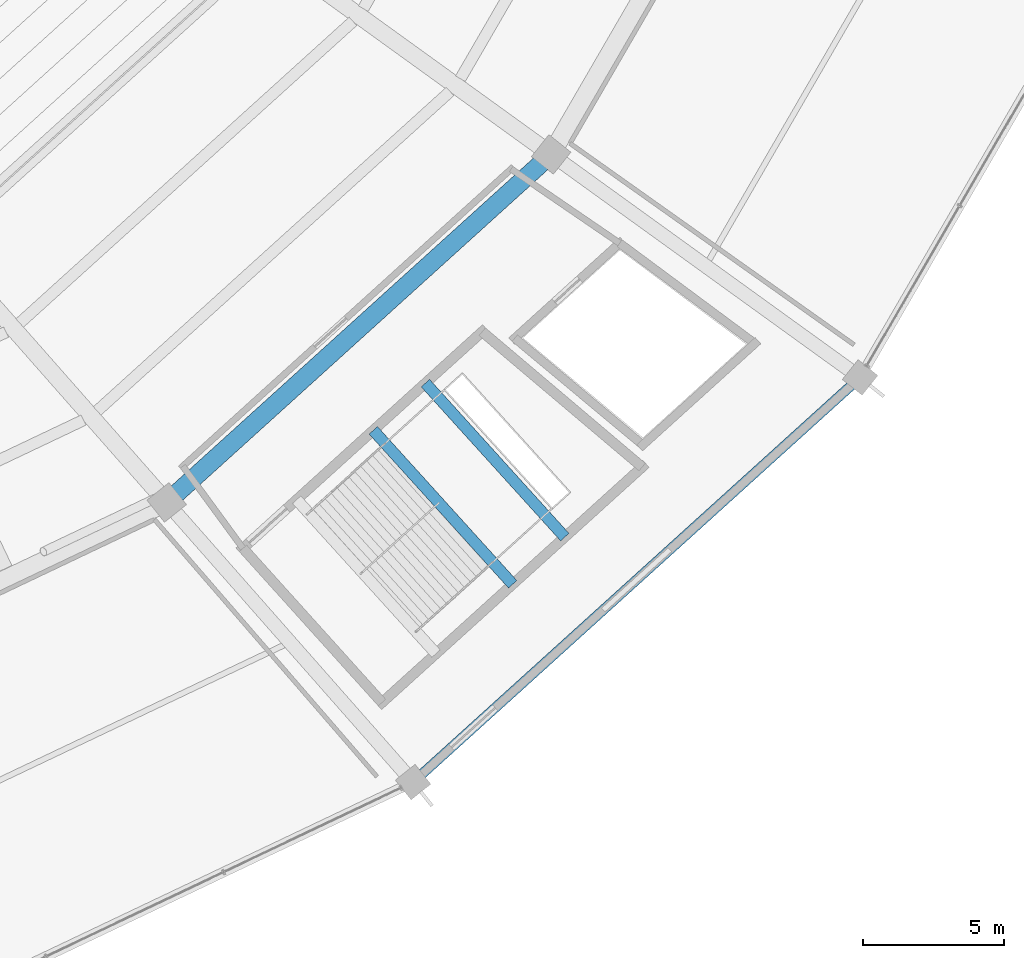
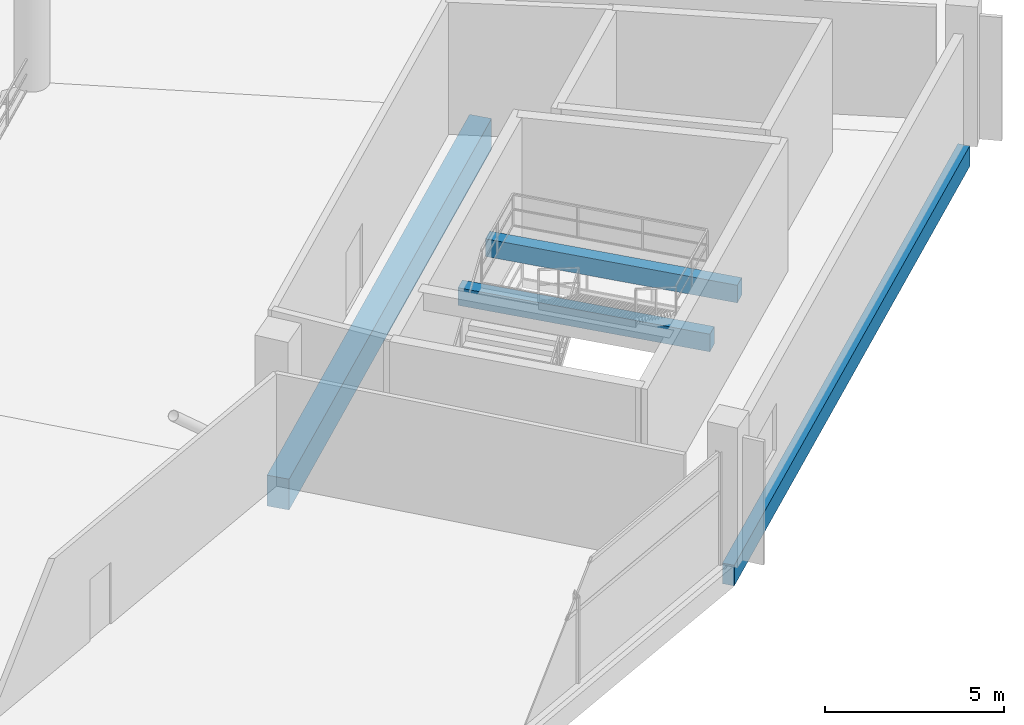
# One storey, part 48 of 156: 4 beams.
"""IFC4 building model written with IfcOpenShell, lengths in metres."""

from ifc_helpers import new_model, si_unit, direction, frame, origin, origin_2d, place, context, subcontext, project, spatial, rectangle, extrude, material, material_profile, profile_set, type_object, element, save


model = new_model("IFC4")

# Units and contexts
model_context = context("Model", 3, precision=1e-05, world=origin(), true_north=direction((0.0, 1.0)))
body_context = subcontext(model_context, "Body", "Model", "MODEL_VIEW")
ifc_project = project(units=[si_unit("LENGTHUNIT", "METRE"), si_unit("AREAUNIT", "SQUARE_METRE"), si_unit("VOLUMEUNIT", "CUBIC_METRE"), si_unit("PLANEANGLEUNIT", "RADIAN"), si_unit("MASSUNIT", "GRAM", prefix="KILO")], contexts=[model_context])

# Site, building, storey
site_placement = place(None, origin())
site = spatial("IfcSite", under=ifc_project, at=site_placement, CompositionType="ELEMENT")
building_placement = place(site_placement, origin())
building = spatial("IfcBuilding", under=site, at=building_placement, Name="Kazemori Nagisa Stadium", CompositionType="ELEMENT")
storey_placement = place(building_placement, frame((0.0, 0.0, 5.780029296875)))
storey = spatial("IfcBuildingStorey", under=building, at=storey_placement, Name="L01", CompositionType="ELEMENT", Elevation=5.780029296875)

# Beams
ifc_material = material(Name="Concrete C40/50 (Fc42)", Category="concrete")
ifc_material_profile_1 = material_profile(ifc_material, rectangle(XDim=0.39990234375, YDim=0.60009765625, at=origin_2d()), Name="RC-BM-400x600")
ifc_profile_set_1 = profile_set([ifc_material_profile_1], Name="Concrete C40/50 (Fc42)")
beam_type_1 = type_object("IfcBeamType", Name="Beam_BG-LND400X600", PredefinedType="BEAM", material=ifc_profile_set_1)
beam_1_placement = place(storey_placement, frame((184.181396484375, 43.452880859375, 1.8798828125), z_axis=(0.671129682405, -0.741339968837, 0.0), x_axis=(0.741339968837, 0.671129682405, 0.0)))
element("IfcBeam", 1, at=beam_1_placement, inside=storey, type_object=beam_type_1, Name="Core stair mid-landing girder ST04-L01-1", PredefinedType="BEAM", context=body_context, shape_type="SweptSolid", body=[
    extrude(rectangle(XDim=0.39990234375, YDim=0.60009765625, at=origin_2d()), origin(), (0.0, 0.0, 1.0), 7.3857421875),
])
beam_2_placement = place(storey_placement, frame((186.03466796875, 45.130859375, 1.8798828125), z_axis=(0.671113236271, -0.74135485707, 0.0), x_axis=(0.74135485707, 0.671113236271, 0.0)))
element("IfcBeam", 2, at=beam_2_placement, inside=storey, type_object=beam_type_1, Name="Core stair mid-landing girder ST04-L01-2", PredefinedType="BEAM", context=body_context, shape_type="SweptSolid", body=[
    extrude(rectangle(XDim=0.39990234375, YDim=0.60009765625, at=origin_2d()), origin(), (0.0, 0.0, 1.0), 7.385986328125),
])
ifc_material_profile_2 = material_profile(ifc_material, rectangle(XDim=0.64990234375, YDim=1.050048828125, at=origin_2d()), Name="RC-BM-650x1050")
ifc_profile_set_2 = profile_set([ifc_material_profile_2], Name="Concrete C40/50 (Fc42)")
beam_type_2 = type_object("IfcBeamType", Name="Beam_BG-RC650X1050", PredefinedType="BEAM", material=ifc_profile_set_2)
beam_3_placement = place(storey_placement, frame((176.834228515625, 40.88916015625, -0.804931640625), z_axis=(0.741349142139, 0.671119549298, 0.0), x_axis=(-0.671119549298, 0.741349142139, 0.0)))
element("IfcBeam", 3, at=beam_3_placement, inside=storey, type_object=beam_type_2, Name="Ring girder BG-RC650X1050 L01 R2-25", PredefinedType="BEAM", context=body_context, shape_type="SweptSolid", body=[
    extrude(rectangle(XDim=0.64990234375, YDim=1.050048828125, at=origin_2d()), origin(), (0.0, 0.0, 1.0), 18.44189453125),
])
ifc_material_profile_3 = material_profile(ifc_material, rectangle(XDim=0.35009765625, YDim=0.699951171875, at=origin_2d()), Name="RC-SP-350x700")
ifc_profile_set_3 = profile_set([ifc_material_profile_3], Name="Concrete C40/50 (Fc42)")
beam_type_3 = type_object("IfcBeamType", Name="Beam_BS-RC350X700", PredefinedType="SPANDREL", material=ifc_profile_set_3)
beam_4_placement = place(storey_placement, frame((185.597900390625, 30.94091796875, -0.630126953125), z_axis=(0.741351531326, 0.671116910084, 0.0), x_axis=(-0.671116910084, 0.741351531326, 0.0)))
element("IfcBeam", 4, at=beam_4_placement, inside=storey, type_object=beam_type_3, Name="Ring girder BS-RC350X700 L01 R3-25", PredefinedType="SPANDREL", context=body_context, shape_type="SweptSolid", body=[
    extrude(rectangle(XDim=0.35009765625, YDim=0.699951171875, at=origin_2d()), origin(), (0.0, 0.0, 1.0), 21.44384765625),
])

save(model, "model.ifc")
